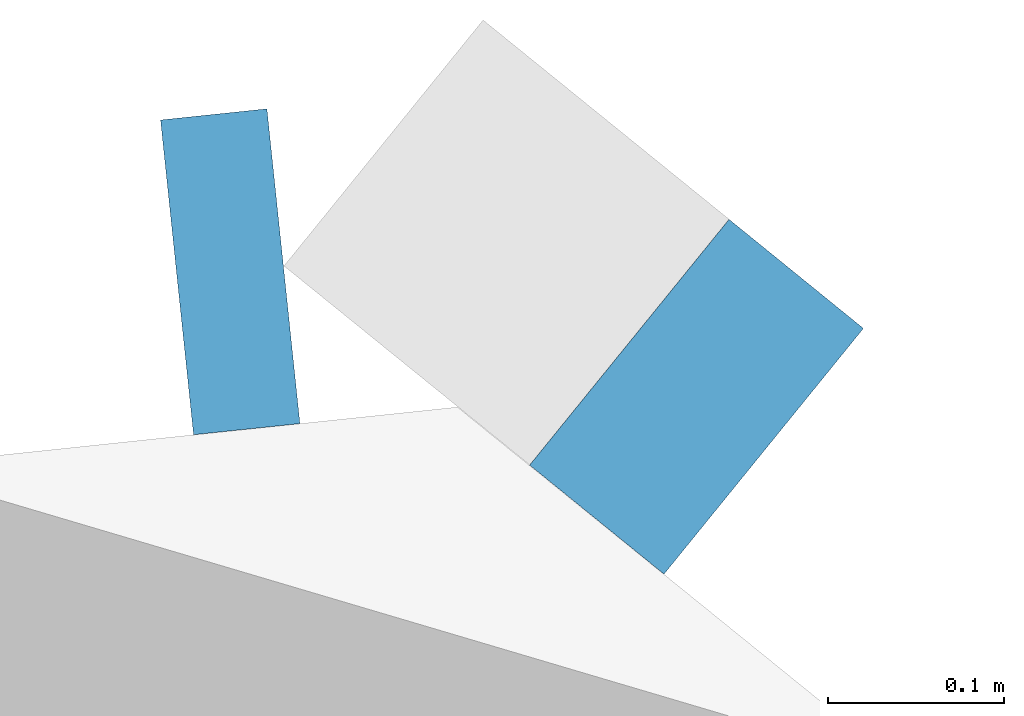
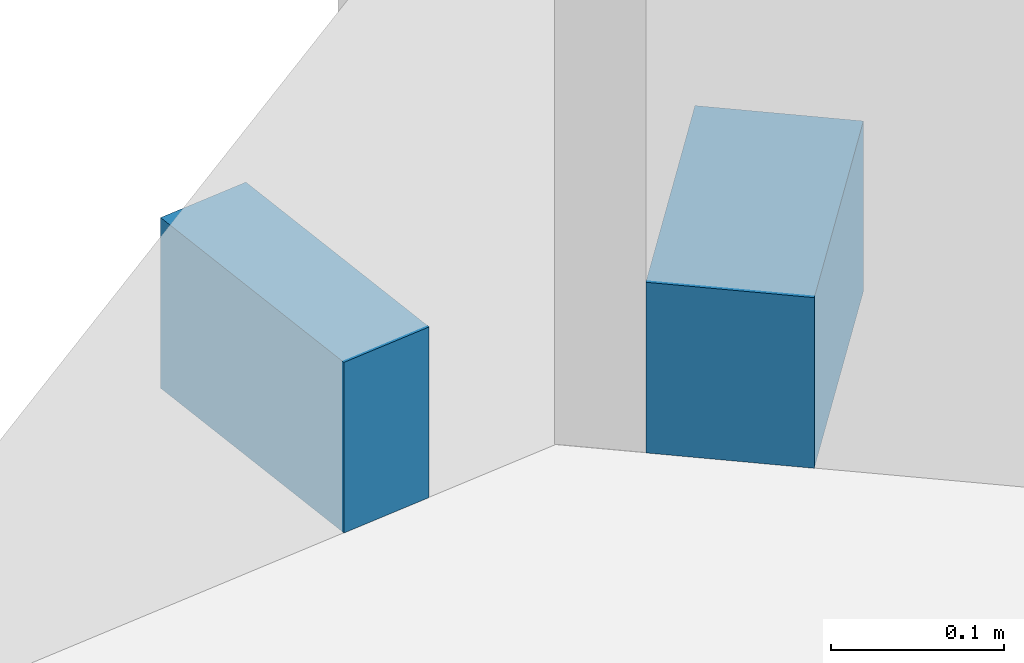
# One storey, part 15 of 25: 2 members, 2 elements without a shape of their own.
"""IFC4 building model written with IfcOpenShell, lengths in metres."""

from ifc_helpers import new_model, si_unit, direction, frame, origin, origin_2d, place, context, subcontext, project, spatial, rectangle, extrude, material, material_profile, profile_set, type_object, element, aggregate, save


model = new_model("IFC4")

# Units and contexts
model_context = context("Model", 3, precision=1e-05, world=origin(), true_north=direction((0.0, 1.0)))
body_context = subcontext(model_context, "Body", "Model", "MODEL_VIEW")
ifc_project = project(units=[si_unit("LENGTHUNIT", "METRE"), si_unit("AREAUNIT", "SQUARE_METRE"), si_unit("VOLUMEUNIT", "CUBIC_METRE"), si_unit("PLANEANGLEUNIT", "RADIAN"), si_unit("MASSUNIT", "GRAM", prefix="KILO")], contexts=[model_context])

# Site, building, storey
site_placement = place(None, origin())
site = spatial("IfcSite", under=ifc_project, at=site_placement, CompositionType="ELEMENT")
building_placement = place(site_placement, origin())
building = spatial("IfcBuilding", under=site, at=building_placement, Name="Orlundy Tower", CompositionType="ELEMENT")
storey_placement = place(building_placement, frame((0.0, 0.0, 217.5)))
storey = spatial("IfcBuildingStorey", under=building, at=storey_placement, Name="L57", CompositionType="ELEMENT", Elevation=217.5)

# Curtain wall, member
ifc_material_1 = material(Name="Aluminium bronze anodised", Category="aluminium")
curtain_wall_type = type_object("IfcCurtainWallType", Name="CW1 wall", PredefinedType="NOTDEFINED", material=ifc_material_1)
curtain_wall_1_placement = place(storey_placement, origin())
curtain_wall_1 = element("IfcCurtainWall", 1, at=curtain_wall_1_placement, inside=storey, type_object=curtain_wall_type, Name="CW1 run 04", PredefinedType="NOTDEFINED")
ifc_material_2 = material(Name="Aluminium bronze anodised", Category="aluminium")
ifc_material_profile = material_profile(ifc_material_2, rectangle(XDim=0.179931640625, YDim=0.1201171875, at=origin_2d()), Name="CW1 transom 180x120")
ifc_profile_set = profile_set([ifc_material_profile], Name="Aluminium bronze anodised")
member_type = type_object("IfcMemberType", Name="CW1 transom 180x120", PredefinedType="USERDEFINED", material=ifc_profile_set)
member_1_placement = place(storey_placement, frame((9.0625, 31.208740234375, -0.360107421875), z_axis=(0.994549313552, 0.104267266743, 0.0), x_axis=(-0.104267266743, 0.994549313552, 0.0)))
member_1 = element("IfcMember", 2, at=member_1_placement, type_object=member_type, Name="CW1 transom", ObjectType="TRANSOM", PredefinedType="USERDEFINED", context=body_context, shape_type="SweptSolid", body=[
    extrude(rectangle(XDim=0.179931640625, YDim=0.1201171875, at=origin_2d()), origin(), (0.0, 0.0, 1.0), 0.060791015625),
])
aggregate(curtain_wall_1, [member_1])

curtain_wall_2_placement = place(storey_placement, origin())
curtain_wall_2 = element("IfcCurtainWall", 3, at=curtain_wall_2_placement, inside=storey, type_object=curtain_wall_type, Name="CW1 run 05", PredefinedType="NOTDEFINED")
member_2_placement = place(storey_placement, frame((9.319580078125, 31.171875, -0.360107421875), z_axis=(0.776493277507, -0.630125535101, 0.0), x_axis=(0.630125535101, 0.776493277507, 0.0)))
member_2 = element("IfcMember", 4, at=member_2_placement, type_object=member_type, Name="CW1 transom", ObjectType="TRANSOM", PredefinedType="USERDEFINED", context=body_context, shape_type="SweptSolid", body=[
    extrude(rectangle(XDim=0.179931640625, YDim=0.1201171875, at=origin_2d()), origin(), (0.0, 0.0, 1.0), 0.098388671875),
])
aggregate(curtain_wall_2, [member_2])

save(model, "model.ifc")
